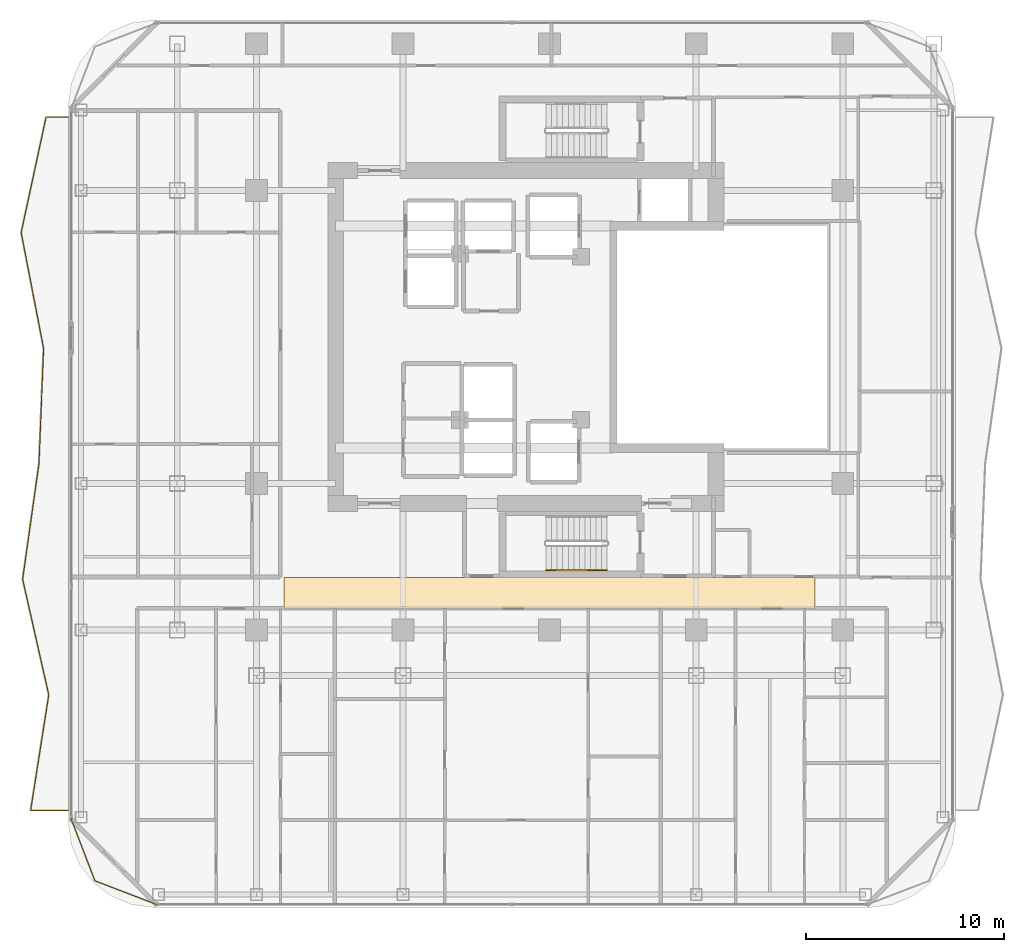
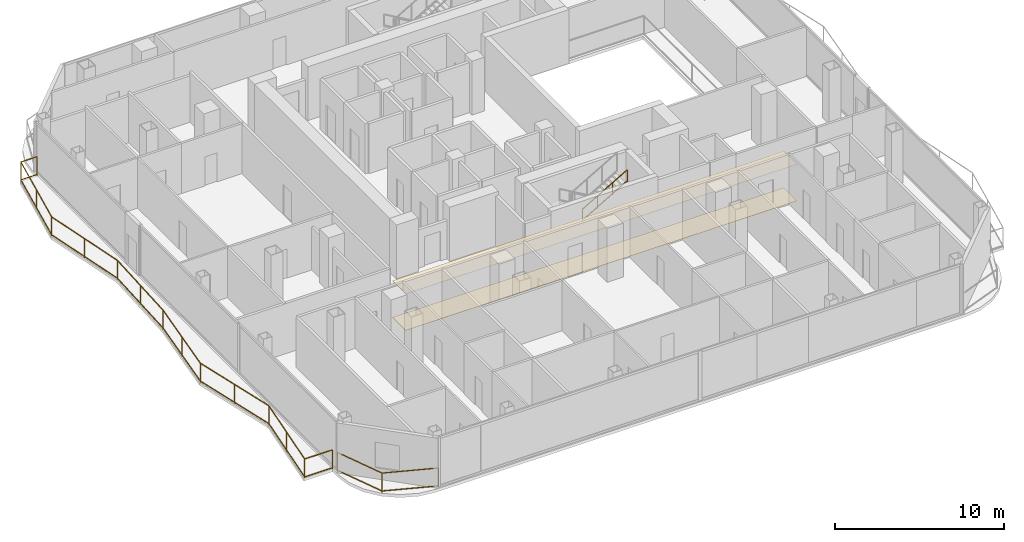
# One storey, part 21 of 23: 3 railings, 2 coverings.
"""IFC4 building model written with IfcOpenShell, lengths in metres."""

from ifc_helpers import new_model, si_unit, direction, frame, origin, origin_2d, place, context, subcontext, project, spatial, polyline, rectangle, outline, extrude, material, layer, layer_set, type_object, element, save


model = new_model("IFC4")

# Units and contexts
model_context = context("Model", 3, precision=1e-05, world=origin(), true_north=direction((0.0, 1.0)))
body_context = subcontext(model_context, "Body", "Model", "MODEL_VIEW")
ifc_project = project(units=[si_unit("LENGTHUNIT", "METRE"), si_unit("AREAUNIT", "SQUARE_METRE"), si_unit("VOLUMEUNIT", "CUBIC_METRE"), si_unit("PLANEANGLEUNIT", "RADIAN"), si_unit("MASSUNIT", "GRAM", prefix="KILO")], contexts=[model_context])

# Site, building, storey
site_placement = place(None, origin())
site = spatial("IfcSite", under=ifc_project, at=site_placement, CompositionType="ELEMENT")
building_placement = place(site_placement, origin())
building = spatial("IfcBuilding", under=site, at=building_placement, Name="Khorvyn Point Tower", CompositionType="ELEMENT")
storey_placement = place(building_placement, frame((0.0, 0.0, 207.0)))
storey = spatial("IfcBuildingStorey", under=building, at=storey_placement, Name="L51", CompositionType="ELEMENT", Elevation=207.0)

# Railings
ifc_material_1 = material(Name="Anodised aluminium 6063-T6 and laminated safety glass", Category="aluminium")
railing_type_1 = type_object("IfcRailingType", Name="Laminated Glass and Aluminium Balcony Guardrail 1400", PredefinedType="BALUSTRADE", material=ifc_material_1)
railing_1_placement = place(storey_placement, frame((-24.17431640625, -24.28125, 0.0)))
element("IfcRailing", 1, at=railing_1_placement, inside=storey, type_object=railing_type_1, Name="L51 Rounded Corner Edge Guardrail SW", PredefinedType="BALUSTRADE", context=body_context, shape_type="SweptSolid", body=[
    extrude(rectangle(XDim=0.048095703125, YDim=0.048095703125, at=origin_2d()), frame((0.0, 0.0, 1.3759765625), z_axis=(0.358343916815, -0.933589651443, 0.0), x_axis=(0.933589651443, 0.358343916815, 0.0)), (0.0, 0.0, 1.0), 3.400390625),
    extrude(rectangle(XDim=0.048095703125, YDim=0.048095703125, at=origin_2d()), frame((0.0, 0.0, 0.080078125), z_axis=(0.358343916815, -0.933589651443, 0.0), x_axis=(0.933589651443, 0.358343916815, 0.0)), (0.0, 0.0, 1.0), 3.400390625),
    extrude(rectangle(XDim=0.048095703125, YDim=0.048095703125, at=origin_2d()), frame((1.218505859375, -3.174560546875, 1.3759765625), z_axis=(0.933589651443, -0.358343916815, 0.0), x_axis=(0.358343916815, 0.933589651443, 0.0)), (0.0, 0.0, 1.0), 3.400390625),
    extrude(rectangle(XDim=0.048095703125, YDim=0.048095703125, at=origin_2d()), frame((1.218505859375, -3.174560546875, 0.080078125), z_axis=(0.933589651443, -0.358343916815, 0.0), x_axis=(0.358343916815, 0.933589651443, 0.0)), (0.0, 0.0, 1.0), 3.400390625),
    extrude(rectangle(XDim=0.0419921875, YDim=0.0419921875, at=origin_2d()), origin(), (0.0, 0.0, 1.0), 1.351806640625),
    extrude(rectangle(XDim=0.0419921875, YDim=0.0419921875, at=origin_2d()), frame((1.218505859375, -3.174560546875, 0.0)), (0.0, 0.0, 1.0), 1.351806640625),
    extrude(rectangle(XDim=0.0419921875, YDim=0.0419921875, at=origin_2d()), frame((4.39306640625, -4.39306640625, 0.0)), (0.0, 0.0, 1.0), 1.351806640625),
])
railing_2_placement = place(storey_placement, frame((-24.300048828125, 11.10009765625, 0.0)))
element("IfcRailing", 2, at=railing_2_placement, inside=storey, type_object=railing_type_1, Name="L51 West Balcony Guardrail", PredefinedType="BALUSTRADE", context=body_context, shape_type="SweptSolid", body=[
    extrude(rectangle(XDim=0.048095703125, YDim=0.048095703125, at=origin_2d()), frame((0.0, 0.0, 1.3759765625), z_axis=(-1.0, 0.0, 0.0), x_axis=(0.0, -1.0, 0.0)), (0.0, 0.0, 1.0), 1.11865234375),
    extrude(rectangle(XDim=0.048095703125, YDim=0.048095703125, at=origin_2d()), frame((0.0, 0.0, 0.080078125), z_axis=(-1.0, 0.0, 0.0), x_axis=(0.0, -1.0, 0.0)), (0.0, 0.0, 1.0), 1.11865234375),
    extrude(rectangle(XDim=0.048095703125, YDim=0.048095703125, at=origin_2d()), frame((-1.11865234375, 0.0, 1.3759765625), z_axis=(-0.210931383898, -0.977500870223, 0.0), x_axis=(0.977500870223, -0.210931383898, 0.0)), (0.0, 0.0, 1.0), 5.9677734375),
    extrude(rectangle(XDim=0.048095703125, YDim=0.048095703125, at=origin_2d()), frame((-1.11865234375, 0.0, 0.080078125), z_axis=(-0.210931383898, -0.977500870223, 0.0), x_axis=(0.977500870223, -0.210931383898, 0.0)), (0.0, 0.0, 1.0), 5.9677734375),
    extrude(rectangle(XDim=0.048095703125, YDim=0.048095703125, at=origin_2d()), frame((-2.37744140625, -5.83349609375, 1.3759765625), z_axis=(0.190281248462, -0.981729619846, 0.0), x_axis=(0.981729619846, 0.190281248462, 0.0)), (0.0, 0.0, 1.0), 5.94189453125),
    extrude(rectangle(XDim=0.048095703125, YDim=0.048095703125, at=origin_2d()), frame((-2.37744140625, -5.83349609375, 0.080078125), z_axis=(0.190281248462, -0.981729619846, 0.0), x_axis=(0.981729619846, 0.190281248462, 0.0)), (0.0, 0.0, 1.0), 5.94189453125),
    extrude(rectangle(XDim=0.048095703125, YDim=0.048095703125, at=origin_2d()), frame((-1.246826171875, -11.666748046875, 1.3759765625), z_axis=(-0.039770961789, -0.999208822318, 0.0), x_axis=(0.999208822318, -0.039770961789, 0.0)), (0.0, 0.0, 1.0), 5.837890625),
    extrude(rectangle(XDim=0.048095703125, YDim=0.048095703125, at=origin_2d()), frame((-1.246826171875, -11.666748046875, 0.080078125), z_axis=(-0.039770961789, -0.999208822318, 0.0), x_axis=(0.999208822318, -0.039770961789, 0.0)), (0.0, 0.0, 1.0), 5.837890625),
    extrude(rectangle(XDim=0.048095703125, YDim=0.048095703125, at=origin_2d()), frame((-1.47900390625, -17.5, 1.3759765625), z_axis=(-0.13994180172, -0.990159730615, 0.0), x_axis=(0.990159730615, -0.13994180172, 0.0)), (0.0, 0.0, 1.0), 5.891357421875),
    extrude(rectangle(XDim=0.048095703125, YDim=0.048095703125, at=origin_2d()), frame((-1.47900390625, -17.5, 0.080078125), z_axis=(-0.13994180172, -0.990159730615, 0.0), x_axis=(0.990159730615, -0.13994180172, 0.0)), (0.0, 0.0, 1.0), 5.891357421875),
    extrude(rectangle(XDim=0.048095703125, YDim=0.048095703125, at=origin_2d()), frame((-2.303466796875, -23.33349609375, 1.3759765625), z_axis=(0.2206029152, -0.975363703346, 0.0), x_axis=(0.975363703346, 0.2206029152, 0.0)), (0.0, 0.0, 1.0), 5.980712890625),
    extrude(rectangle(XDim=0.048095703125, YDim=0.048095703125, at=origin_2d()), frame((-2.303466796875, -23.33349609375, 0.080078125), z_axis=(0.2206029152, -0.975363703346, 0.0), x_axis=(0.975363703346, 0.2206029152, 0.0)), (0.0, 0.0, 1.0), 5.980712890625),
    extrude(rectangle(XDim=0.048095703125, YDim=0.048095703125, at=origin_2d()), frame((-0.984130859375, -29.166748046875, 1.3759765625), z_axis=(-0.155011288159, -0.987912698847, 0.0), x_axis=(0.987912698847, -0.155011288159, 0.0)), (0.0, 0.0, 1.0), 5.904541015625),
    extrude(rectangle(XDim=0.048095703125, YDim=0.048095703125, at=origin_2d()), frame((-0.984130859375, -29.166748046875, 0.080078125), z_axis=(-0.155011288159, -0.987912698847, 0.0), x_axis=(0.987912698847, -0.155011288159, 0.0)), (0.0, 0.0, 1.0), 5.904541015625),
    extrude(rectangle(XDim=0.048095703125, YDim=0.048095703125, at=origin_2d()), frame((-1.8994140625, -35.0, 1.3759765625), z_axis=(1.0, 0.0, 0.0), x_axis=(0.0, 1.0, 0.0)), (0.0, 0.0, 1.0), 1.8994140625),
    extrude(rectangle(XDim=0.048095703125, YDim=0.048095703125, at=origin_2d()), frame((-1.8994140625, -35.0, 0.080078125), z_axis=(1.0, 0.0, 0.0), x_axis=(0.0, 1.0, 0.0)), (0.0, 0.0, 1.0), 1.8994140625),
    extrude(rectangle(XDim=0.0419921875, YDim=0.0419921875, at=origin_2d()), origin(), (0.0, 0.0, 1.0), 1.351806640625),
    extrude(rectangle(XDim=0.0419921875, YDim=0.0419921875, at=origin_2d()), frame((-1.11865234375, 0.0, 0.0)), (0.0, 0.0, 1.0), 1.351806640625),
    extrude(rectangle(XDim=0.0419921875, YDim=0.0419921875, at=origin_2d()), frame((-1.748046875, -2.916748046875, 0.0)), (0.0, 0.0, 1.0), 1.351806640625),
    extrude(rectangle(XDim=0.0419921875, YDim=0.0419921875, at=origin_2d()), frame((-2.37744140625, -5.83349609375, 0.0)), (0.0, 0.0, 1.0), 1.351806640625),
    extrude(rectangle(XDim=0.0419921875, YDim=0.0419921875, at=origin_2d()), frame((-1.81201171875, -8.75, 0.0)), (0.0, 0.0, 1.0), 1.351806640625),
    extrude(rectangle(XDim=0.0419921875, YDim=0.0419921875, at=origin_2d()), frame((-1.246826171875, -11.666748046875, 0.0)), (0.0, 0.0, 1.0), 1.351806640625),
    extrude(rectangle(XDim=0.0419921875, YDim=0.0419921875, at=origin_2d()), frame((-1.36279296875, -14.58349609375, 0.0)), (0.0, 0.0, 1.0), 1.351806640625),
    extrude(rectangle(XDim=0.0419921875, YDim=0.0419921875, at=origin_2d()), frame((-1.47900390625, -17.5, 0.0)), (0.0, 0.0, 1.0), 1.351806640625),
    extrude(rectangle(XDim=0.0419921875, YDim=0.0419921875, at=origin_2d()), frame((-1.89111328125, -20.416748046875, 0.0)), (0.0, 0.0, 1.0), 1.351806640625),
    extrude(rectangle(XDim=0.0419921875, YDim=0.0419921875, at=origin_2d()), frame((-2.303466796875, -23.33349609375, 0.0)), (0.0, 0.0, 1.0), 1.351806640625),
    extrude(rectangle(XDim=0.0419921875, YDim=0.0419921875, at=origin_2d()), frame((-1.643798828125, -26.25, 0.0)), (0.0, 0.0, 1.0), 1.351806640625),
    extrude(rectangle(XDim=0.0419921875, YDim=0.0419921875, at=origin_2d()), frame((-0.984130859375, -29.166748046875, 0.0)), (0.0, 0.0, 1.0), 1.351806640625),
    extrude(rectangle(XDim=0.0419921875, YDim=0.0419921875, at=origin_2d()), frame((-1.44189453125, -32.08349609375, 0.0)), (0.0, 0.0, 1.0), 1.351806640625),
    extrude(rectangle(XDim=0.0419921875, YDim=0.0419921875, at=origin_2d()), frame((-1.8994140625, -35.0, 0.0)), (0.0, 0.0, 1.0), 1.351806640625),
    extrude(rectangle(XDim=0.0419921875, YDim=0.0419921875, at=origin_2d()), frame((0.0, -35.0, 0.0)), (0.0, 0.0, 1.0), 1.351806640625),
])

# Coverings
ifc_material_2 = material(Name="Mineral-fibre acoustic ceiling board", Category="gypsum")
ifc_layer_1 = layer(ifc_material_2, 0.02001953125)
ifc_layer_set_1 = layer_set([ifc_layer_1], Name="Perforated Mineral-Fibre Acoustic Suspended Ceiling 20")
covering_type_1 = type_object("IfcCoveringType", Name="Perforated Mineral-Fibre Acoustic Suspended Ceiling 20", PredefinedType="CEILING", material=ifc_layer_set_1)
covering_1_placement = place(storey_placement, frame((0.0, 0.0, 2.639892578125)))
element("IfcCovering", 3, at=covering_1_placement, inside=storey, type_object=covering_type_1, Name="L51 South Corridor Acoustic Ceiling", PredefinedType="CEILING", context=body_context, shape_type="SweptSolid", body=[
    extrude(outline(polyline([(-13.39990234375, -13.7099609375), (13.39990234375, -13.7099609375), (13.39990234375, -12.139892578125), (-13.39990234375, -12.139892578125), (-13.39990234375, -13.7099609375)])), origin(), (0.0, 0.0, 1.0), 0.02001953125),
])
ifc_material_3 = material(Name="Vitrified porcelain terrazzo tile", Category="ceramic")
ifc_layer_2 = layer(ifc_material_3, 0.01806640625)
ifc_layer_set_2 = layer_set([ifc_layer_2], Name="Porcelain Terrazzo Corridor Floor Finish Tile 18")
covering_type_2 = type_object("IfcCoveringType", Name="Porcelain Terrazzo Corridor Floor Finish Tile 18", PredefinedType="FLOORING", material=ifc_layer_set_2)
covering_2_placement = place(storey_placement, origin())
element("IfcCovering", 4, at=covering_2_placement, inside=storey, type_object=covering_type_2, Name="L51 South Corridor Terrazzo Flooring", PredefinedType="FLOORING", context=body_context, shape_type="SweptSolid", body=[
    extrude(outline(polyline([(-13.39990234375, -13.7099609375), (13.39990234375, -13.7099609375), (13.39990234375, -12.139892578125), (-13.39990234375, -12.139892578125), (-13.39990234375, -13.7099609375)])), origin(), (0.0, 0.0, 1.0), 0.01806640625),
])

# Railing
ifc_material_4 = material(Name="Stainless steel 1.4301", Category="steel")
railing_type_2 = type_object("IfcRailingType", Name="Stainless Steel 304 Stair Pitch Handrail 900", PredefinedType="HANDRAIL", material=ifc_material_4)
railing_3_placement = place(storey_placement, frame((-0.179931640625, -11.77001953125, 2.112548828125)))
element("IfcRailing", 5, at=railing_3_placement, inside=storey, type_object=railing_type_2, Name="L51 ST-01 stair handrail 2", PredefinedType="HANDRAIL", context=body_context, shape_type="SweptSolid", body=[
    extrude(rectangle(XDim=0.048095703125, YDim=0.048095703125, at=origin_2d()), frame((0.0, 0.0, 0.8759765625), z_axis=(0.864903211148, 0.0, 0.501938676878), x_axis=(0.0, 1.0, 0.0)), (0.0, 0.0, 1.0), 3.560791015625),
    extrude(rectangle(XDim=0.048095703125, YDim=0.048095703125, at=origin_2d()), frame((0.0, 0.0, 0.080078125), z_axis=(0.864903211148, 0.0, 0.501938676878), x_axis=(0.0, 1.0, 0.0)), (0.0, 0.0, 1.0), 3.560791015625),
    extrude(rectangle(XDim=0.0419921875, YDim=0.0419921875, at=origin_2d()), origin(), (0.0, 0.0, 1.0), 0.851806640625),
    extrude(rectangle(XDim=0.0419921875, YDim=0.0419921875, at=origin_2d()), frame((1.026611328125, 0.0, 0.595703125)), (0.0, 0.0, 1.0), 0.851806640625),
    extrude(rectangle(XDim=0.0419921875, YDim=0.0419921875, at=origin_2d()), frame((2.05322265625, 0.0, 1.191650390625)), (0.0, 0.0, 1.0), 0.851806640625),
    extrude(rectangle(XDim=0.0419921875, YDim=0.0419921875, at=origin_2d()), frame((3.079833984375, 0.0, 1.787353515625)), (0.0, 0.0, 1.0), 0.851806640625),
])

save(model, "model.ifc")
